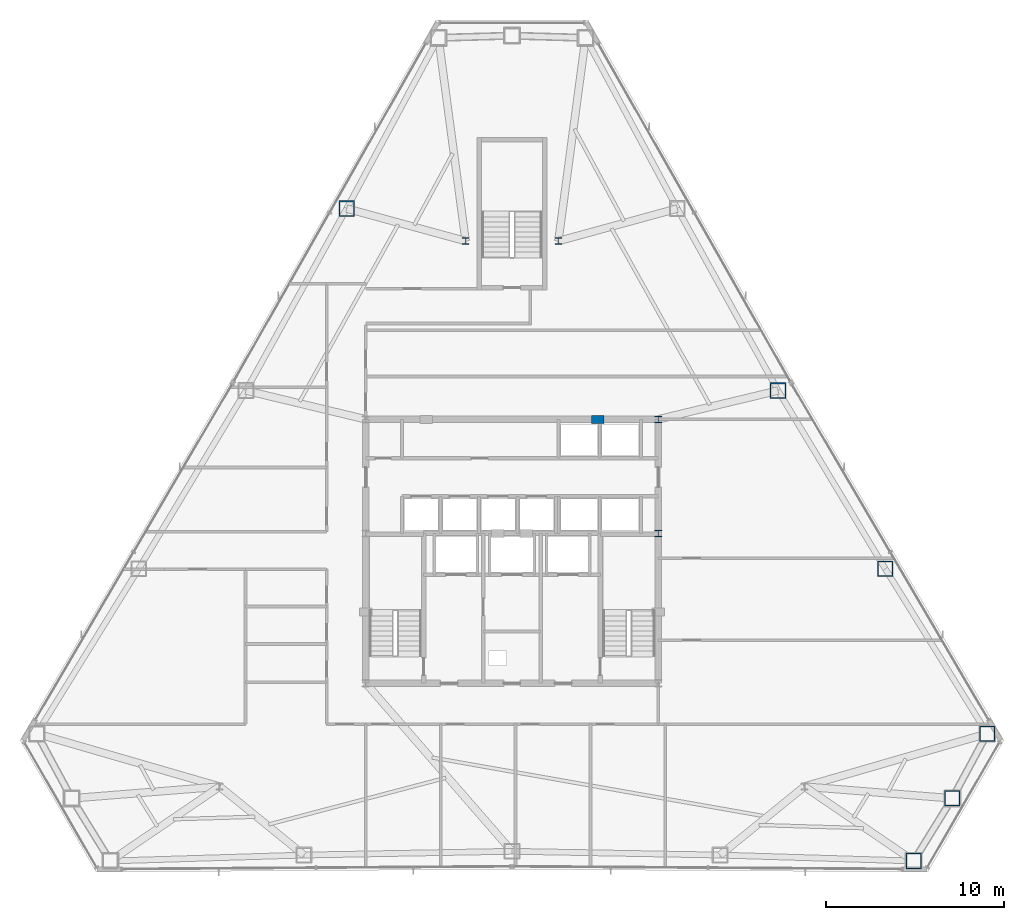
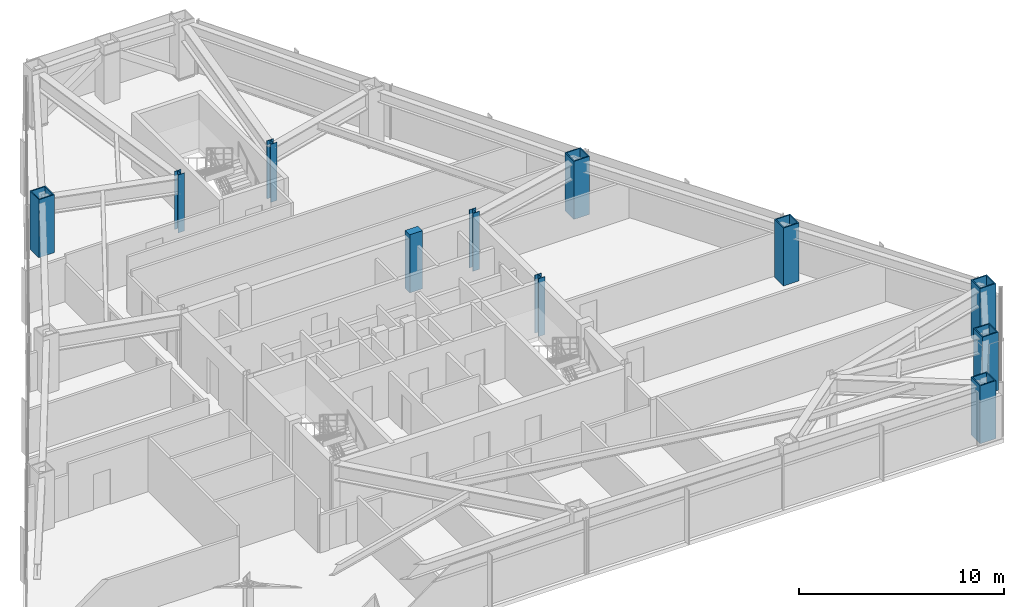
# One storey, part 2 of 13: 11 columns.
"""IFC4 building model written with IfcOpenShell, lengths in metres."""

from ifc_helpers import new_model, si_unit, direction, frame, origin, origin_2d, place, context, subcontext, project, spatial, rectangle, hollow_rectangle, i_section, extrude, material, material_profile, profile_set, type_object, element, save


model = new_model("IFC4")

# Units and contexts
model_context = context("Model", 3, precision=1e-05, world=origin(), true_north=direction((0.0, 1.0)))
body_context = subcontext(model_context, "Body", "Model", "MODEL_VIEW")
ifc_project = project(units=[si_unit("LENGTHUNIT", "METRE"), si_unit("AREAUNIT", "SQUARE_METRE"), si_unit("VOLUMEUNIT", "CUBIC_METRE"), si_unit("PLANEANGLEUNIT", "RADIAN"), si_unit("MASSUNIT", "GRAM", prefix="KILO")], contexts=[model_context])

# Site, building, storey
site_placement = place(None, origin())
site = spatial("IfcSite", under=ifc_project, at=site_placement, CompositionType="ELEMENT")
building_placement = place(site_placement, origin())
building = spatial("IfcBuilding", under=site, at=building_placement, Name="Varakhsha Concourse Tower", CompositionType="ELEMENT")
storey_placement = place(building_placement, frame((0.0, 0.0, 133.25)))
storey = spatial("IfcBuildingStorey", under=building, at=storey_placement, Name="L38", CompositionType="ELEMENT", Elevation=133.25)

# Columns
ifc_material_1 = material(Name="Structural Steel ASTM A992 Grade 50", Category="steel")
ifc_material_profile_1 = material_profile(ifc_material_1, i_section(OverallWidth=0.3740234375, OverallDepth=0.3720703125, WebThickness=0.01611328125, FlangeThickness=0.02587890625, at=origin_2d()), Name="W14X132")
ifc_profile_set_1 = profile_set([ifc_material_profile_1], Name="Structural Steel ASTM A992 Grade 50")
column_type_1 = type_object("IfcColumnType", Name="CL-CORE-W14X132", PredefinedType="COLUMN", material=ifc_profile_set_1)
for number, where, z_axis, x_axis, name in (
    (1, (48.199951171875, 24.800048828125, 0.0), (0.0, 0.0, 1.0), (1.0, 0.0, 0.0), "L38 Core Column CC-ME"),
    (2, (48.199951171875, 31.199951171875, 0.0), (0.0, 0.0, 1.0), (1.0, 0.0, 0.0), "L38 Core Column CC-NE"),
    (3, (37.39990234375, 41.199951171875, 0.0), (0.0, 0.0, 1.0), (1.0, 0.0, 0.0), "L38 Core Column NS-W"),
    (4, (42.60009765625, 41.199951171875, 0.0), (0.0, 0.0, 1.0), (1.0, 0.0, 0.0), "L38 Core Column NS-E"),
):
    element("IfcColumn", number, at=place(storey_placement, frame(where, z_axis=z_axis, x_axis=x_axis)), inside=storey, type_object=column_type_1, Name=name, PredefinedType="COLUMN", context=body_context, shape_type="SweptSolid", body=[
        extrude(i_section(OverallWidth=0.3740234375, OverallDepth=0.3720703125, WebThickness=0.01611328125, FlangeThickness=0.02587890625, at=origin_2d()), origin(), (0.0, 0.0, 1.0), 3.449951171875),
    ])
ifc_material_2 = material(Name="Concrete fc 65 MPa", Category="concrete")
ifc_material_profile_2 = material_profile(ifc_material_2, rectangle(XDim=0.699951171875, YDim=0.449951171875, at=origin_2d()), Name="RC 700x450")
ifc_profile_set_2 = profile_set([ifc_material_profile_2], Name="Concrete fc 65 MPa")
column_type_2 = type_object("IfcColumnType", Name="CL-PIL-700X450", PredefinedType="PILASTER", material=ifc_profile_set_2)
column_placement = place(storey_placement, frame((44.800048828125, 31.199951171875, 0.0), z_axis=(0.0, 0.0, 1.0), x_axis=(1.0, 0.0, 0.0)))
element("IfcColumn", 5, at=column_placement, inside=storey, type_object=column_type_2, Name="L38 Core Boundary Pilaster PIL-N2", PredefinedType="PILASTER", context=body_context, shape_type="SweptSolid", body=[
    extrude(rectangle(XDim=0.699951171875, YDim=0.449951171875, at=origin_2d()), origin(), (0.0, 0.0, 1.0), 3.449951171875),
])
ifc_material_3 = material(Name="Structural Steel ASTM A572 Grade 50", Category="steel")
ifc_material_profile_3 = material_profile(ifc_material_3, hollow_rectangle(XDim=0.8798828125, YDim=0.8798828125, WallThickness=0.06005859375, at=origin_2d()), Name="BOX 880x880x60")
ifc_profile_set_3 = profile_set([ifc_material_profile_3], Name="Structural Steel ASTM A572 Grade 50")
column_type_3 = type_object("IfcColumnType", Name="CL-TUBE-880", PredefinedType="COLUMN", material=ifc_profile_set_3)
for number, where, z_axis, x_axis, name in (
    (6, (30.73046875, 43.0263671875, 0.0), (0.0, 0.0, 1.0), (1.0, 0.0, 0.0), "L38 Framed-Tube Column TC04"),
    (7, (62.5322265625, 6.4267578125, 0.0), (0.0, 0.0, 1.0), (1.0, 0.0, 0.0), "L38 Framed-Tube Column TC13"),
    (8, (64.700439453125, 9.939208984375, 0.0), (0.0, 0.0, 1.0), (1.0, 0.0, 0.0), "L38 Framed-Tube Column TC14"),
    (9, (66.658203125, 13.572998046875, 0.0), (0.0, 0.0, 1.0), (1.0, 0.0, 0.0), "L38 Framed-Tube Column TC15"),
    (10, (60.93896484375, 22.814453125, 0.0), (0.0, 0.0, 1.0), (1.0, 0.0, 0.0), "L38 Framed-Tube Column TC16"),
    (11, (54.92138671875, 32.81494140625, 0.0), (0.0, 0.0, 1.0), (1.0, 0.0, 0.0), "L38 Framed-Tube Column TC17"),
):
    element("IfcColumn", number, at=place(storey_placement, frame(where, z_axis=z_axis, x_axis=x_axis)), inside=storey, type_object=column_type_3, Name=name, PredefinedType="COLUMN", context=body_context, shape_type="SweptSolid", body=[
        extrude(hollow_rectangle(XDim=0.8798828125, YDim=0.8798828125, WallThickness=0.06005859375, at=origin_2d()), origin(), (0.0, 0.0, 1.0), 3.449951171875),
    ])

save(model, "model.ifc")
